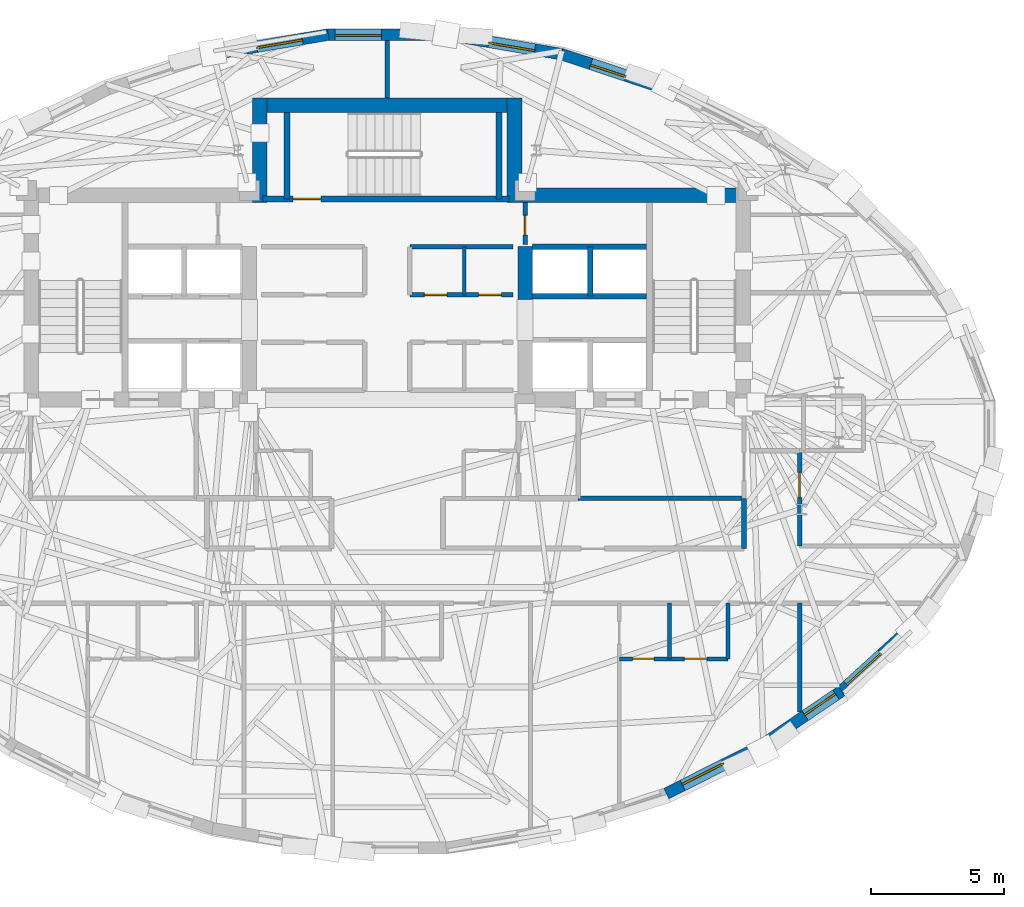
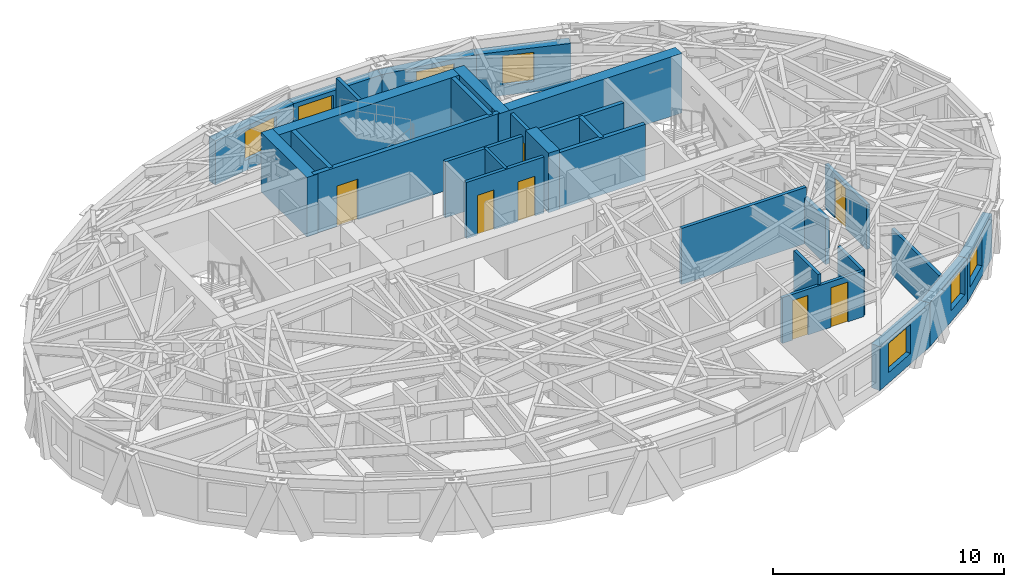
# One storey, part 9 of 14: 30 walls, 7 doors, 7 windows, 14 openings.
"""IFC4 building model written with IfcOpenShell, lengths in metres."""

from ifc_helpers import new_model, si_unit, direction, frame, frame_2d, origin, place, context, subcontext, project, spatial, rectangle, extrude, material, layer, layer_set, type_object, element, fill, save


model = new_model("IFC4")

# Units and contexts
model_context = context("Model", 3, precision=1e-05, world=origin(), true_north=direction((0.0, 1.0)))
body_context = subcontext(model_context, "Body", "Model", "MODEL_VIEW")
ifc_project = project(units=[si_unit("LENGTHUNIT", "METRE"), si_unit("AREAUNIT", "SQUARE_METRE"), si_unit("VOLUMEUNIT", "CUBIC_METRE"), si_unit("PLANEANGLEUNIT", "RADIAN"), si_unit("MASSUNIT", "GRAM", prefix="KILO")], contexts=[model_context])

# Site, building, storey
site_placement = place(None, origin())
site = spatial("IfcSite", under=ifc_project, at=site_placement, CompositionType="ELEMENT")
building_placement = place(site_placement, origin())
building = spatial("IfcBuilding", under=site, at=building_placement, Name="Keldmark Tower", CompositionType="ELEMENT")
storey_placement = place(building_placement, frame((0.0, 0.0, 222.60009765625)))
storey = spatial("IfcBuildingStorey", under=building, at=storey_placement, Name="L62", CompositionType="ELEMENT", Elevation=222.60009765625)

# Walls
ifc_material_1 = material(Name="Heavy Acoustic Plumbing Chase Gypsum Assembly", Category="gypsum")
ifc_layer_1 = layer(ifc_material_1, 0.18994140625)
ifc_layer_set_1 = layer_set([ifc_layer_1], Name="Heavy Acoustic Plumbing Chase Gypsum Assembly")
wall_type_1 = type_object("IfcWallType", Name="Heavy Wet Wall 190 mm", PredefinedType="PLUMBINGWALL", material=ifc_layer_set_1)
wall_1_placement = place(storey_placement, frame((13.449951171875, -4.050048828125, 0.0), z_axis=(0.0, 0.0, 1.0), x_axis=(0.0, 1.0, 0.0)))
element("IfcWall", 1, at=wall_1_placement, inside=storey, type_object=wall_type_1, Name="L62 Heavy Wet Wall 190 mm SPK-E-E", PredefinedType="PLUMBINGWALL", context=body_context, shape_type="SweptSolid", body=[
    extrude(rectangle(XDim=1.900146484375, YDim=0.18994140625, at=frame_2d((0.9501953125, 0.0))), origin(), (0.0, 0.0, 1.0), 2.4228515625),
])
ifc_material_2 = material(Name="Concrete C50/60", Category="concrete")
ifc_layer_2 = layer(ifc_material_2, 0.550048828125)
ifc_layer_set_2 = layer_set([ifc_layer_2], Name="Concrete C50/60")
wall_type_2 = type_object("IfcWallType", Name="High-Rise Core Shear Wall 550 mm", PredefinedType="SHEAR", material=ifc_layer_set_2)
wall_2_placement = place(storey_placement, frame((4.52490234375, 9.27490234375, 0.0), z_axis=(0.0, 0.0, 1.0), x_axis=(1.0, 0.0, 0.0)))
element("IfcWall", 2, at=wall_2_placement, inside=storey, type_object=wall_type_2, Name="L62 East Core North Shear Wall", PredefinedType="SHEAR", context=body_context, shape_type="SweptSolid", body=[
    extrude(rectangle(XDim=9.175048828125, YDim=0.550048828125, at=frame_2d((4.58740234375, 0.0))), origin(), (0.0, 0.0, 1.0), 3.14990234375),
])
wall_3_placement = place(storey_placement, frame((5.199951171875, 5.35009765625, 0.0), z_axis=(0.0, 0.0, 1.0), x_axis=(0.0, 1.0, 0.0)))
element("IfcWall", 3, at=wall_3_placement, inside=storey, type_object=wall_type_2, Name="L62 East Core Inner Shear Pier North", PredefinedType="SHEAR", context=body_context, shape_type="SweptSolid", body=[
    extrude(rectangle(XDim=2.0, YDim=0.550048828125, at=frame_2d((1.0, 0.0))), origin(), (0.0, 0.0, 1.0), 3.14990234375),
])
wall_4_placement = place(storey_placement, frame((-5.074951171875, 12.675048828125, 0.0), z_axis=(0.0, 0.0, 1.0), x_axis=(1.0, 0.0, 0.0)))
element("IfcWall", 4, at=wall_4_placement, inside=storey, type_object=wall_type_2, Name="L62 North Core Shear Wall", PredefinedType="SHEAR", context=body_context, shape_type="SweptSolid", body=[
    extrude(rectangle(XDim=10.14990234375, YDim=0.550048828125, at=frame_2d((5.074951171875, 0.0))), origin(), (0.0, 0.0, 1.0), 3.14990234375),
])
for number, where, z_axis, x_axis, name in (
    (5, (-4.800048828125, 9.0, 0.0), (0.0, 0.0, 1.0), (0.0, 1.0, 0.0), "L62 North Core West Shear Wall"),
    (6, (4.800048828125, 9.0, 0.0), (0.0, 0.0, 1.0), (0.0, 1.0, 0.0), "L62 North Core East Shear Wall"),
):
    element("IfcWall", number, at=place(storey_placement, frame(where, z_axis=z_axis, x_axis=x_axis)), inside=storey, type_object=wall_type_2, Name=name, PredefinedType="SHEAR", context=body_context, shape_type="SweptSolid", body=[
        extrude(rectangle(XDim=3.949951171875, YDim=0.550048828125, at=frame_2d((1.97509765625, 0.0))), origin(), (0.0, 0.0, 1.0), 3.14990234375),
    ])
ifc_material_3 = material(Name="Acoustic Gypsum Board Interior Partition", Category="gypsum")
ifc_layer_3 = layer(ifc_material_3, 0.1298828125)
ifc_layer_set_3 = layer_set([ifc_layer_3], Name="Acoustic Gypsum Board Interior Partition")
wall_type_3 = type_object("IfcWallType", Name="Interior Partition 130 mm", PredefinedType="PARTITIONING", material=ifc_layer_set_3)
wall_5_placement = place(storey_placement, frame((2.89990234375, 5.52001953125, 0.0), z_axis=(0.0, 0.0, 1.0), x_axis=(0.0, 1.0, 0.0)))
element("IfcWall", 7, at=wall_5_placement, inside=storey, type_object=wall_type_3, Name="L62 Interior Partition 130 mm REC-ME-M", PredefinedType="PARTITIONING", context=body_context, shape_type="SweptSolid", body=[
    extrude(rectangle(XDim=1.81005859375, YDim=0.1298828125, at=frame_2d((0.905029296875, 0.0))), origin(), (0.0, 0.0, 1.0), 2.969970703125),
])
ifc_material_4 = material(Name="Type X Fire-Rated Gypsum Partition Assembly", Category="gypsum")
ifc_layer_4 = layer(ifc_material_4, 0.1650390625)
ifc_layer_set_4 = layer_set([ifc_layer_4], Name="Type X Fire-Rated Gypsum Partition Assembly")
wall_type_4 = type_object("IfcWallType", Name="Rated Partition 165 mm", PredefinedType="PARTITIONING", material=ifc_layer_set_4)
wall_6_placement = place(storey_placement, frame((7.199951171875, -2.14990234375, 0.0), z_axis=(0.0, 0.0, 1.0), x_axis=(1.0, 0.0, 0.0)))
element("IfcWall", 8, at=wall_6_placement, inside=storey, type_object=wall_type_4, Name="L62 Rated Partition 165 mm FSAE-E-S", PredefinedType="PARTITIONING", context=body_context, shape_type="SweptSolid", body=[
    extrude(rectangle(XDim=6.25, YDim=0.1650390625, at=frame_2d((3.125, 0.0))), origin(), (0.0, 0.0, 1.0), 2.969970703125),
])

# Wall, openings, doors
wall_7_placement = place(storey_placement, frame((0.85009765625, 5.52001953125, 0.0), z_axis=(0.0, 0.0, 1.0), x_axis=(1.0, 0.0, 0.0)))
wall_7 = element("IfcWall", 9, at=wall_7_placement, inside=storey, type_object=wall_type_4, Name="L62 Rated Partition 165 mm REC-ME-S", PredefinedType="PARTITIONING", context=body_context, shape_type="SweptSolid", body=[
    extrude(rectangle(XDim=3.889892578125, YDim=0.1650390625, at=frame_2d((1.94482421875, 0.0))), origin(), (0.0, 0.0, 1.0), 2.969970703125),
])
opening_1_placement = place(wall_7_placement, frame((0.550048828125, 0.0, 0.0)))
opening_1 = element("IfcOpeningElement", 10, at=opening_1_placement, cuts=wall_7, Name="Opening D-SV085", PredefinedType="OPENING", context=body_context, shape_type="SweptSolid", body=[
    extrude(rectangle(XDim=0.85009765625, YDim=2.10009765625, at=frame_2d((0.425048828125, 1.050048828125))), frame((0.0, 0.092529296875, 0.0), z_axis=(0.0, -1.0, 0.0), x_axis=(1.0, 0.0, 0.0)), (0.0, 0.0, 1.0), 0.18505859375),
])
opening_2_placement = place(wall_7_placement, frame((2.60009765625, 0.0, 0.0)))
opening_2 = element("IfcOpeningElement", 11, at=opening_2_placement, cuts=wall_7, Name="Opening D-SV085", PredefinedType="OPENING", context=body_context, shape_type="SweptSolid", body=[
    extrude(rectangle(XDim=0.85009765625, YDim=2.10009765625, at=frame_2d((0.425048828125, 1.050048828125))), frame((0.0, 0.092529296875, 0.0), z_axis=(0.0, -1.0, 0.0), x_axis=(1.0, 0.0, 0.0)), (0.0, 0.0, 1.0), 0.18505859375),
])
ifc_material_5 = material(Name="Painted Hollow Metal Door Assembly", Category="metal")
door_type_1 = type_object("IfcDoorType", Name="Service Door 850x2100", OperationType="NOTDEFINED", PredefinedType="DOOR", material=ifc_material_5)
door_1_placement = place(opening_1_placement, origin())
door_1 = element("IfcDoor", 12, at=door_1_placement, inside=storey, type_object=door_type_1, Name="L62 Service Door 850x2100 D-RECME1-L62", OperationType="SINGLE_SWING_RIGHT", OverallHeight=2.10009765625, OverallWidth=0.85009765625, PredefinedType="DOOR", context=body_context, shape_type="SweptSolid", body=[
    extrude(rectangle(XDim=0.85009765625, YDim=2.10009765625, at=frame_2d((0.425048828125, 1.050048828125))), frame((0.0, 0.02490234375, 0.0), z_axis=(0.0, -1.0, 0.0), x_axis=(1.0, 0.0, 0.0)), (0.0, 0.0, 1.0), 0.050048828125),
])
fill(opening_1, door_1)
door_2_placement = place(opening_2_placement, origin())
door_2 = element("IfcDoor", 13, at=door_2_placement, inside=storey, type_object=door_type_1, Name="L62 Service Door 850x2100 D-RECME2-L62", OperationType="SINGLE_SWING_RIGHT", OverallHeight=2.10009765625, OverallWidth=0.85009765625, PredefinedType="DOOR", context=body_context, shape_type="SweptSolid", body=[
    extrude(rectangle(XDim=0.85009765625, YDim=2.10009765625, at=frame_2d((0.425048828125, 1.050048828125))), frame((0.0, 0.02490234375, 0.0), z_axis=(0.0, -1.0, 0.0), x_axis=(1.0, 0.0, 0.0)), (0.0, 0.0, 1.0), 0.050048828125),
])
fill(opening_2, door_2)

# Wall
wall_8_placement = place(storey_placement, frame((0.85009765625, 7.330078125, 0.0), z_axis=(0.0, 0.0, 1.0), x_axis=(1.0, 0.0, 0.0)))
element("IfcWall", 14, at=wall_8_placement, inside=storey, type_object=wall_type_4, Name="L62 Rated Partition 165 mm REC-ME-N", PredefinedType="PARTITIONING", context=body_context, shape_type="SweptSolid", body=[
    extrude(rectangle(XDim=3.889892578125, YDim=0.1650390625, at=frame_2d((1.94482421875, 0.0))), origin(), (0.0, 0.0, 1.0), 2.969970703125),
])

# Wall, opening, door
wall_9_placement = place(storey_placement, frame((5.199951171875, 7.419921875, 0.0), z_axis=(0.0, 0.0, 1.0), x_axis=(0.0, 1.0, 0.0)))
wall_9 = element("IfcWall", 15, at=wall_9_placement, inside=storey, type_object=wall_type_4, Name="L62 Rated Partition 165 mm CS-NE-W", PredefinedType="PARTITIONING", context=body_context, shape_type="SweptSolid", body=[
    extrude(rectangle(XDim=1.580078125, YDim=0.1650390625, at=frame_2d((0.7900390625, 0.0))), origin(), (0.0, 0.0, 1.0), 2.969970703125),
])
opening_3_placement = place(wall_9_placement, frame((0.35009765625, 0.0, 0.0)))
opening_3 = element("IfcOpeningElement", 16, at=opening_3_placement, cuts=wall_9, Name="Opening D-RS075", PredefinedType="OPENING", context=body_context, shape_type="SweptSolid", body=[
    extrude(rectangle(XDim=0.75, YDim=2.10009765625, at=frame_2d((0.375, 1.050048828125))), frame((0.0, 0.092529296875, 0.0), z_axis=(0.0, -1.0, 0.0), x_axis=(1.0, 0.0, 0.0)), (0.0, 0.0, 1.0), 0.18505859375),
])
ifc_material_6 = material(Name="Galvanized Fire-Rated Access Leaf", Category="metal")
door_type_2 = type_object("IfcDoorType", Name="Riser Access Door 750x2100", OperationType="NOTDEFINED", PredefinedType="DOOR", material=ifc_material_6)
door_3_placement = place(opening_3_placement, origin())
door_3 = element("IfcDoor", 17, at=door_3_placement, inside=storey, type_object=door_type_2, Name="L62 Riser Access Door 750x2100 D-CSNE1-L62", OperationType="SINGLE_SWING_LEFT", OverallHeight=2.10009765625, OverallWidth=0.75, PredefinedType="DOOR", context=body_context, shape_type="SweptSolid", body=[
    extrude(rectangle(XDim=0.75, YDim=2.10009765625, at=frame_2d((0.375, 1.050048828125))), frame((0.0, 0.02490234375, 0.0), z_axis=(0.0, -1.0, 0.0), x_axis=(1.0, 0.0, 0.0)), (0.0, 0.0, 1.0), 0.050048828125),
])
fill(opening_3, door_3)

wall_10_placement = place(storey_placement, frame((15.550048828125, -3.949951171875, 0.0), z_axis=(0.0, 0.0, 1.0), x_axis=(0.0, 1.0, 0.0)))
wall_10 = element("IfcWall", 18, at=wall_10_placement, inside=storey, type_object=wall_type_4, Name="L62 Rated Partition 165 mm RCOR-VE", PredefinedType="PARTITIONING", context=body_context, shape_type="SweptSolid", body=[
    extrude(rectangle(XDim=3.599853515625, YDim=0.1650390625, at=frame_2d((1.7998046875, 0.0))), origin(), (0.0, 0.0, 1.0), 2.35693359375),
])
opening_4_placement = place(wall_10_placement, frame((1.830078125, 0.0, 0.0)))
opening_4 = element("IfcOpeningElement", 19, at=opening_4_placement, cuts=wall_10, Name="Opening D-AP095", PredefinedType="OPENING", context=body_context, shape_type="SweptSolid", body=[
    extrude(rectangle(XDim=0.949951171875, YDim=2.14990234375, at=frame_2d((0.47509765625, 1.074951171875))), frame((0.0, 0.092529296875, 0.0), z_axis=(0.0, -1.0, 0.0), x_axis=(1.0, 0.0, 0.0)), (0.0, 0.0, 1.0), 0.18505859375),
])
ifc_material_7 = material(Name="Solid-Core Walnut Fire-Rated Entry Assembly", Category="wood")
door_type_3 = type_object("IfcDoorType", Name="Apartment Entry Door 950x2150", OperationType="NOTDEFINED", PredefinedType="DOOR", material=ifc_material_7)
door_4_placement = place(opening_4_placement, origin())
door_4 = element("IfcDoor", 20, at=door_4_placement, inside=storey, type_object=door_type_3, Name="L62 Apartment Entry Door 950x2150 D-UE-ENT-L62", OperationType="SINGLE_SWING_RIGHT", OverallHeight=2.14990234375, OverallWidth=0.949951171875, PredefinedType="DOOR", context=body_context, shape_type="SweptSolid", body=[
    extrude(rectangle(XDim=0.949951171875, YDim=2.14990234375, at=frame_2d((0.47509765625, 1.074951171875))), frame((0.0, 0.02490234375, 0.0), z_axis=(0.0, -1.0, 0.0), x_axis=(1.0, 0.0, 0.0)), (0.0, 0.0, 1.0), 0.050048828125),
])
fill(opening_4, door_4)

# Walls
wall_11_placement = place(storey_placement, frame((0.0, 12.949951171875, 0.0), z_axis=(0.0, 0.0, 1.0), x_axis=(0.0, 1.0, 0.0)))
element("IfcWall", 21, at=wall_11_placement, inside=storey, type_object=wall_type_4, Name="L62 Rated Partition 165 mm RN-DIV", PredefinedType="PARTITIONING", context=body_context, shape_type="SweptSolid", body=[
    extrude(rectangle(XDim=2.15576171875, YDim=0.1650390625, at=frame_2d((1.077880859375, 0.0))), origin(), (0.0, 0.0, 1.0), 2.969970703125),
])
wall_12_placement = place(storey_placement, frame((15.550048828125, -10.2119140625, 0.0), z_axis=(0.0, 0.0, 1.0), x_axis=(0.0, 1.0, 0.0)))
element("IfcWall", 22, at=wall_12_placement, inside=storey, type_object=wall_type_4, Name="L62 Rated Partition 165 mm RS-ECAP", PredefinedType="PARTITIONING", context=body_context, shape_type="SweptSolid", body=[
    extrude(rectangle(XDim=4.11181640625, YDim=0.1650390625, at=frame_2d((2.055908203125, 0.0))), origin(), (0.0, 0.0, 1.0), 2.4228515625),
])
ifc_material_8 = material(Name="Fire-Resistant Type X Gypsum Shaftliner Coreboard", Category="gypsum")
ifc_layer_5 = layer(ifc_material_8, 0.199951171875)
ifc_layer_set_5 = layer_set([ifc_layer_5], Name="Fire-Resistant Type X Gypsum Shaftliner Coreboard")
wall_type_5 = type_object("IfcWallType", Name="Shaft Wall 200 mm", PredefinedType="SOLIDWALL", material=ifc_layer_set_5)
for number, where, z_axis, x_axis, name in (
    (23, (5.47509765625, 5.469970703125, 0.0), (0.0, 0.0, 1.0), (1.0, 0.0, 0.0), "L62 Shaft Wall 200 mm HW-E-N"),
    (24, (5.47509765625, 7.330078125, 0.0), (0.0, 0.0, 1.0), (1.0, 0.0, 0.0), "L62 Shaft Wall 200 mm HW-E-TOP"),
):
    element("IfcWall", number, at=place(storey_placement, frame(where, z_axis=z_axis, x_axis=x_axis)), inside=storey, type_object=wall_type_5, Name=name, PredefinedType="SOLIDWALL", context=body_context, shape_type="SweptSolid", body=[
        extrude(rectangle(XDim=4.304931640625, YDim=0.199951171875, at=frame_2d((2.15234375, 0.0))), origin(), (0.0, 0.0, 1.0), 2.969970703125),
    ])
wall_13_placement = place(storey_placement, frame((7.64990234375, 5.469970703125, 0.0), z_axis=(0.0, 0.0, 1.0), x_axis=(0.0, 1.0, 0.0)))
element("IfcWall", 25, at=wall_13_placement, inside=storey, type_object=wall_type_5, Name="L62 Shaft Wall 200 mm HW-E-NM", PredefinedType="SOLIDWALL", context=body_context, shape_type="SweptSolid", body=[
    extrude(rectangle(XDim=1.860107421875, YDim=0.199951171875, at=frame_2d((0.93017578125, 0.0))), origin(), (0.0, 0.0, 1.0), 2.969970703125),
])

# Wall, opening, door
ifc_material_9 = material(Name="Concrete C50/60", Category="concrete")
ifc_layer_6 = layer(ifc_material_9, 0.219970703125)
ifc_layer_set_6 = layer_set([ifc_layer_6], Name="Concrete C50/60")
wall_type_6 = type_object("IfcWallType", Name="Stair Core Shear Wall 220 mm", PredefinedType="SHEAR", material=ifc_layer_set_6)
wall_14_placement = place(storey_placement, frame((-4.699951171875, 9.139892578125, 0.0), z_axis=(0.0, 0.0, 1.0), x_axis=(1.0, 0.0, 0.0)))
wall_14 = element("IfcWall", 26, at=wall_14_placement, inside=storey, type_object=wall_type_6, Name="L62 Central Stair Core South Shear Wall", PredefinedType="SHEAR", context=body_context, shape_type="SweptSolid", body=[
    extrude(rectangle(XDim=9.300048828125, YDim=0.219970703125, at=frame_2d((4.64990234375, 0.0))), origin(), (0.0, 0.0, 1.0), 3.14990234375),
])
opening_5_placement = place(wall_14_placement, frame((1.14990234375, 0.0, 0.0)))
opening_5 = element("IfcOpeningElement", 27, at=opening_5_placement, cuts=wall_14, Name="Opening D-ST105", PredefinedType="OPENING", context=body_context, shape_type="SweptSolid", body=[
    extrude(rectangle(XDim=1.050048828125, YDim=2.14990234375, at=frame_2d((0.52490234375, 1.074951171875))), frame((0.0, 0.119873046875, 0.0), z_axis=(0.0, -1.0, 0.0), x_axis=(1.0, 0.0, 0.0)), (0.0, 0.0, 1.0), 0.239990234375),
])
ifc_material_10 = material(Name="Hollow Metal Fire-Rated Door Assembly", Category="metal")
door_type_4 = type_object("IfcDoorType", Name="Stair Fire Door 1050x2150", OperationType="NOTDEFINED", PredefinedType="DOOR", material=ifc_material_10)
door_5_placement = place(opening_5_placement, origin())
door_5 = element("IfcDoor", 28, at=door_5_placement, inside=storey, type_object=door_type_4, Name="L62 Stair Fire Door 1050x2150 D-ST3-L62", OperationType="SINGLE_SWING_LEFT", OverallHeight=2.14990234375, OverallWidth=1.050048828125, PredefinedType="DOOR", context=body_context, shape_type="SweptSolid", body=[
    extrude(rectangle(XDim=1.050048828125, YDim=2.14990234375, at=frame_2d((0.52490234375, 1.074951171875))), frame((0.0, 0.02490234375, 0.0), z_axis=(0.0, -1.0, 0.0), x_axis=(1.0, 0.0, 0.0)), (0.0, 0.0, 1.0), 0.050048828125),
])
fill(opening_5, door_5)

# Walls
for number, where, z_axis, x_axis, name in (
    (29, (-3.784912109375, 9.139892578125, 0.0), (0.0, 0.0, 1.0), (0.0, 1.0, 0.0), "L62 Central Stair Core West Shear Wall"),
    (30, (4.215087890625, 9.139892578125, 0.0), (0.0, 0.0, 1.0), (0.0, 1.0, 0.0), "L62 Central Stair Core East Shear Wall"),
):
    element("IfcWall", number, at=place(storey_placement, frame(where, z_axis=z_axis, x_axis=x_axis)), inside=storey, type_object=wall_type_6, Name=name, PredefinedType="SHEAR", context=body_context, shape_type="SweptSolid", body=[
        extrude(rectangle(XDim=3.260009765625, YDim=0.219970703125, at=frame_2d((1.6298828125, 0.0))), origin(), (0.0, 0.0, 1.0), 3.14990234375),
    ])

# Wall, opening, window
ifc_material_11 = material(Name="Ironspot Manganese Brick and Kasota Buff Limestone Spandrel Assembly", Category="masonry")
ifc_layer_7 = layer(ifc_material_11, 0.43994140625)
ifc_layer_set_7 = layer_set([ifc_layer_7], Name="Ironspot Manganese Brick and Kasota Buff Limestone Spandrel Assembly")
wall_type_7 = type_object("IfcWallType", Name="Tower Brick Pier and Spandrel Wall 440 mm", PredefinedType="STANDARD", material=ifc_layer_set_7)
wall_15_placement = place(storey_placement, frame((6.555419921875, 14.6025390625, 0.0), z_axis=(0.0, 0.0, 1.0), x_axis=(0.948810648135, -0.315845459024, 0.0)))
wall_15 = element("IfcWall", 31, at=wall_15_placement, inside=storey, type_object=wall_type_7, Name="L62 Exterior Brick and Spandrel Wall 06", PredefinedType="STANDARD", context=body_context, shape_type="SweptSolid", body=[
    extrude(rectangle(XDim=4.215087890625, YDim=0.43994140625, at=frame_2d((2.107421875, 0.0))), origin(), (0.0, 0.0, 1.0), 2.3359375),
])
opening_6_placement = place(wall_15_placement, frame((1.185791015625, 0.0, 0.550048828125)))
opening_6 = element("IfcOpeningElement", 32, at=opening_6_placement, cuts=wall_15, Name="Opening W-08", PredefinedType="OPENING", context=body_context, shape_type="SweptSolid", body=[
    extrude(rectangle(XDim=1.39990234375, YDim=1.550048828125, at=frame_2d((0.699951171875, 0.77490234375))), frame((0.0, 0.22998046875, 0.0), z_axis=(0.0, -1.0, 0.0), x_axis=(1.0, 0.0, 0.0)), (0.0, 0.0, 1.0), 0.4599609375),
])
ifc_material_12 = material(Name="Thermally Broken Anodized Aluminum and Triple Low-E Argon Glazing", Category="aluminium")
window_type_1 = type_object("IfcWindowType", Name="Residential Corner Punched Window 1400x1550", PartitioningType="SINGLE_PANEL", PredefinedType="WINDOW", material=ifc_material_12)
window_1_placement = place(opening_6_placement, origin())
window_1 = element("IfcWindow", 33, at=window_1_placement, inside=storey, type_object=window_type_1, Name="L62 Deep-Set Window 06", OverallHeight=1.550048828125, OverallWidth=1.39990234375, PartitioningType="SINGLE_PANEL", PredefinedType="WINDOW", context=body_context, shape_type="SweptSolid", body=[
    extrude(rectangle(XDim=1.39990234375, YDim=1.550048828125, at=frame_2d((0.699951171875, 0.77490234375))), frame((0.0, -0.010009765625, 0.0), z_axis=(0.0, -1.0, 0.0), x_axis=(1.0, 0.0, 0.0)), (0.0, 0.0, 1.0), 0.06005859375),
])
fill(opening_6, window_1)

wall_16_placement = place(storey_placement, frame((2.221923828125, 15.3369140625, 0.0), z_axis=(0.0, 0.0, 1.0), x_axis=(0.985849288176, -0.16763406874, 0.0)))
wall_16 = element("IfcWall", 34, at=wall_16_placement, inside=storey, type_object=wall_type_7, Name="L62 Exterior Brick and Spandrel Wall 07", PredefinedType="STANDARD", context=body_context, shape_type="SweptSolid", body=[
    extrude(rectangle(XDim=4.428955078125, YDim=0.43994140625, at=frame_2d((2.21435546875, 0.0))), origin(), (0.0, 0.0, 1.0), 2.3359375),
])
opening_7_placement = place(wall_16_placement, frame((1.63671875, 0.0, 0.550048828125)))
opening_7 = element("IfcOpeningElement", 35, at=opening_7_placement, cuts=wall_16, Name="Opening W-05", PredefinedType="OPENING", context=body_context, shape_type="SweptSolid", body=[
    extrude(rectangle(XDim=1.75, YDim=1.550048828125, at=frame_2d((0.875, 0.77490234375))), frame((0.0, 0.22998046875, 0.0), z_axis=(0.0, -1.0, 0.0), x_axis=(1.0, 0.0, 0.0)), (0.0, 0.0, 1.0), 0.4599609375),
])
ifc_material_13 = material(Name="Thermally Broken Anodized Aluminum and Triple Low-E Argon Glazing", Category="aluminium")
window_type_2 = type_object("IfcWindowType", Name="Residential Deep-Set Window 1750x1550", PartitioningType="DOUBLE_PANEL_VERTICAL", PredefinedType="WINDOW", material=ifc_material_13)
window_2_placement = place(opening_7_placement, origin())
window_2 = element("IfcWindow", 36, at=window_2_placement, inside=storey, type_object=window_type_2, Name="L62 Deep-Set Window 07", OverallHeight=1.550048828125, OverallWidth=1.75, PartitioningType="SINGLE_PANEL", PredefinedType="WINDOW", context=body_context, shape_type="SweptSolid", body=[
    extrude(rectangle(XDim=1.75, YDim=1.550048828125, at=frame_2d((0.875, 0.77490234375))), frame((0.0, -0.010009765625, 0.0), z_axis=(0.0, -1.0, 0.0), x_axis=(1.0, 0.0, 0.0)), (0.0, 0.0, 1.0), 0.06005859375),
])
fill(opening_7, window_2)

wall_17_placement = place(storey_placement, frame((-2.2587890625, 15.333740234375, 0.0), z_axis=(0.0, 0.0, 1.0), x_axis=(1.0, 0.0, 0.0)))
wall_17 = element("IfcWall", 37, at=wall_17_placement, inside=storey, type_object=wall_type_7, Name="L62 Exterior Brick and Spandrel Wall 08", PredefinedType="STANDARD", context=body_context, shape_type="SweptSolid", body=[
    extrude(rectangle(XDim=4.517578125, YDim=0.43994140625, at=frame_2d((2.2587890625, 0.0))), origin(), (0.0, 0.0, 1.0), 2.3359375),
])
opening_8_placement = place(wall_17_placement, frame((0.298583984375, 0.0, 0.550048828125)))
opening_8 = element("IfcOpeningElement", 38, at=opening_8_placement, cuts=wall_17, Name="Opening W-05", PredefinedType="OPENING", context=body_context, shape_type="SweptSolid", body=[
    extrude(rectangle(XDim=1.75, YDim=1.550048828125, at=frame_2d((0.875, 0.77490234375))), frame((0.0, 0.22998046875, 0.0), z_axis=(0.0, -1.0, 0.0), x_axis=(1.0, 0.0, 0.0)), (0.0, 0.0, 1.0), 0.4599609375),
])
window_3_placement = place(opening_8_placement, origin())
window_3 = element("IfcWindow", 39, at=window_3_placement, inside=storey, type_object=window_type_2, Name="L62 Deep-Set Window 08", OverallHeight=1.550048828125, OverallWidth=1.75, PartitioningType="SINGLE_PANEL", PredefinedType="WINDOW", context=body_context, shape_type="SweptSolid", body=[
    extrude(rectangle(XDim=1.75, YDim=1.550048828125, at=frame_2d((0.875, 0.77490234375))), frame((0.0, -0.010009765625, 0.0), z_axis=(0.0, -1.0, 0.0), x_axis=(1.0, 0.0, 0.0)), (0.0, 0.0, 1.0), 0.06005859375),
])
fill(opening_8, window_3)

wall_18_placement = place(storey_placement, frame((-6.588134765625, 14.594482421875, 0.0), z_axis=(0.0, 0.0, 1.0), x_axis=(0.985849288176, 0.16763406874, 0.0)))
wall_18 = element("IfcWall", 40, at=wall_18_placement, inside=storey, type_object=wall_type_7, Name="L62 Exterior Brick and Spandrel Wall 09", PredefinedType="STANDARD", context=body_context, shape_type="SweptSolid", body=[
    extrude(rectangle(XDim=4.428955078125, YDim=0.43994140625, at=frame_2d((2.21435546875, 0.0))), origin(), (0.0, 0.0, 1.0), 2.3359375),
])
opening_9_placement = place(wall_18_placement, frame((1.686279296875, 0.0, 0.550048828125)))
opening_9 = element("IfcOpeningElement", 41, at=opening_9_placement, cuts=wall_18, Name="Opening W-05", PredefinedType="OPENING", context=body_context, shape_type="SweptSolid", body=[
    extrude(rectangle(XDim=1.75, YDim=1.550048828125, at=frame_2d((0.875, 0.77490234375))), frame((0.0, 0.22998046875, 0.0), z_axis=(0.0, -1.0, 0.0), x_axis=(1.0, 0.0, 0.0)), (0.0, 0.0, 1.0), 0.4599609375),
])
window_4_placement = place(opening_9_placement, origin())
window_4 = element("IfcWindow", 42, at=window_4_placement, inside=storey, type_object=window_type_2, Name="L62 Deep-Set Window 09", OverallHeight=1.550048828125, OverallWidth=1.75, PartitioningType="SINGLE_PANEL", PredefinedType="WINDOW", context=body_context, shape_type="SweptSolid", body=[
    extrude(rectangle(XDim=1.75, YDim=1.550048828125, at=frame_2d((0.875, 0.77490234375))), frame((0.0, -0.010009765625, 0.0), z_axis=(0.0, -1.0, 0.0), x_axis=(1.0, 0.0, 0.0)), (0.0, 0.0, 1.0), 0.06005859375),
])
fill(opening_9, window_4)

wall_19_placement = place(storey_placement, frame((14.057373046875, -11.502197265625, 0.0), z_axis=(0.0, 0.0, 1.0), x_axis=(-0.892866610217, -0.450321236851, 0.0)))
wall_19 = element("IfcWall", 43, at=wall_19_placement, inside=storey, type_object=wall_type_7, Name="L62 Exterior Brick and Spandrel Wall 27", PredefinedType="STANDARD", context=body_context, shape_type="SweptSolid", body=[
    extrude(rectangle(XDim=3.9560546875, YDim=0.43994140625, at=frame_2d((1.97802734375, 0.0))), origin(), (0.0, 0.0, 1.0), 2.3359375),
])
opening_10_placement = place(wall_19_placement, frame((1.517822265625, 0.0, 0.550048828125)))
opening_10 = element("IfcOpeningElement", 44, at=opening_10_placement, cuts=wall_19, Name="Opening W-05", PredefinedType="OPENING", context=body_context, shape_type="SweptSolid", body=[
    extrude(rectangle(XDim=1.75, YDim=1.550048828125, at=frame_2d((0.875, 0.77490234375))), frame((0.0, 0.22998046875, 0.0), z_axis=(0.0, -1.0, 0.0), x_axis=(1.0, 0.0, 0.0)), (0.0, 0.0, 1.0), 0.4599609375),
])
window_5_placement = place(opening_10_placement, origin())
window_5 = element("IfcWindow", 45, at=window_5_placement, inside=storey, type_object=window_type_2, Name="L62 Deep-Set Window 27", OverallHeight=1.550048828125, OverallWidth=1.75, PartitioningType="SINGLE_PANEL", PredefinedType="WINDOW", context=body_context, shape_type="SweptSolid", body=[
    extrude(rectangle(XDim=1.75, YDim=1.550048828125, at=frame_2d((0.875, 0.77490234375))), frame((0.0, -0.010009765625, 0.0), z_axis=(0.0, -1.0, 0.0), x_axis=(1.0, 0.0, 0.0)), (0.0, 0.0, 1.0), 0.06005859375),
])
fill(opening_10, window_5)

wall_20_placement = place(storey_placement, frame((17.126220703125, -9.418701171875, 0.0), z_axis=(0.0, 0.0, 1.0), x_axis=(-0.827642668093, -0.561255391023, 0.0)))
wall_20 = element("IfcWall", 46, at=wall_20_placement, inside=storey, type_object=wall_type_7, Name="L62 Exterior Brick and Spandrel Wall 28", PredefinedType="STANDARD", context=body_context, shape_type="SweptSolid", body=[
    extrude(rectangle(XDim=3.737548828125, YDim=0.43994140625, at=frame_2d((1.86865234375, 0.0))), origin(), (0.0, 0.0, 1.0), 2.3359375),
])
opening_11_placement = place(wall_20_placement, frame((0.249755859375, 0.0, 0.580078125)))
opening_11 = element("IfcOpeningElement", 47, at=opening_11_placement, cuts=wall_20, Name="Opening W-08", PredefinedType="OPENING", context=body_context, shape_type="SweptSolid", body=[
    extrude(rectangle(XDim=1.39990234375, YDim=1.550048828125, at=frame_2d((0.699951171875, 0.77490234375))), frame((0.0, 0.22998046875, 0.0), z_axis=(0.0, -1.0, 0.0), x_axis=(1.0, 0.0, 0.0)), (0.0, 0.0, 1.0), 0.4599609375),
])
window_6_placement = place(opening_11_placement, origin())
window_6 = element("IfcWindow", 48, at=window_6_placement, inside=storey, type_object=window_type_1, Name="L62 Deep-Set Window 28", OverallHeight=1.550048828125, OverallWidth=1.39990234375, PartitioningType="SINGLE_PANEL", PredefinedType="WINDOW", context=body_context, shape_type="SweptSolid", body=[
    extrude(rectangle(XDim=1.39990234375, YDim=1.550048828125, at=frame_2d((0.699951171875, 0.77490234375))), frame((0.0, -0.010009765625, 0.0), z_axis=(0.0, -1.0, 0.0), x_axis=(1.0, 0.0, 0.0)), (0.0, 0.0, 1.0), 0.06005859375),
])
fill(opening_11, window_6)

wall_21_placement = place(storey_placement, frame((19.728271484375, -7.04248046875, 0.0), z_axis=(0.0, 0.0, 1.0), x_axis=(-0.738907573949, -0.673806795129, 0.0)))
wall_21 = element("IfcWall", 49, at=wall_21_placement, inside=storey, type_object=wall_type_7, Name="L62 Exterior Brick and Spandrel Wall 29", PredefinedType="STANDARD", context=body_context, shape_type="SweptSolid", body=[
    extrude(rectangle(XDim=3.55517578125, YDim=0.43994140625, at=frame_2d((1.777587890625, 0.0))), origin(), (0.0, 0.0, 1.0), 2.3359375),
])
opening_12_placement = place(wall_21_placement, frame((1.459716796875, 0.0, 0.550048828125)))
opening_12 = element("IfcOpeningElement", 50, at=opening_12_placement, cuts=wall_21, Name="Opening W-05", PredefinedType="OPENING", context=body_context, shape_type="SweptSolid", body=[
    extrude(rectangle(XDim=1.75, YDim=1.550048828125, at=frame_2d((0.875, 0.77490234375))), frame((0.0, 0.22998046875, 0.0), z_axis=(0.0, -1.0, 0.0), x_axis=(1.0, 0.0, 0.0)), (0.0, 0.0, 1.0), 0.4599609375),
])
window_7_placement = place(opening_12_placement, origin())
window_7 = element("IfcWindow", 51, at=window_7_placement, inside=storey, type_object=window_type_2, Name="L62 Deep-Set Window 29", OverallHeight=1.550048828125, OverallWidth=1.75, PartitioningType="SINGLE_PANEL", PredefinedType="WINDOW", context=body_context, shape_type="SweptSolid", body=[
    extrude(rectangle(XDim=1.75, YDim=1.550048828125, at=frame_2d((0.875, 0.77490234375))), frame((0.0, -0.010009765625, 0.0), z_axis=(0.0, -1.0, 0.0), x_axis=(1.0, 0.0, 0.0)), (0.0, 0.0, 1.0), 0.06005859375),
])
fill(opening_12, window_7)

# Wall, openings, doors
ifc_material_14 = material(Name="Moisture-Resistant Gypsum Plumbing Partition", Category="gypsum")
ifc_layer_8 = layer(ifc_material_14, 0.14990234375)
ifc_layer_set_8 = layer_set([ifc_layer_8], Name="Moisture-Resistant Gypsum Plumbing Partition")
wall_type_8 = type_object("IfcWallType", Name="Wet Wall 150 mm", PredefinedType="PLUMBINGWALL", material=ifc_layer_set_8)
wall_22_placement = place(storey_placement, frame((8.75, -8.199951171875, 0.0), z_axis=(0.0, 0.0, 1.0), x_axis=(1.0, 0.0, 0.0)))
wall_22 = element("IfcWall", 52, at=wall_22_placement, inside=storey, type_object=wall_type_8, Name="L62 Wet Wall 150 mm UC-BK-S", PredefinedType="PLUMBINGWALL", context=body_context, shape_type="SweptSolid", body=[
    extrude(rectangle(XDim=4.10009765625, YDim=0.14990234375, at=frame_2d((2.050048828125, 0.0))), origin(), (0.0, 0.0, 1.0), 2.4228515625),
])
opening_13_placement = place(wall_22_placement, frame((0.5, 0.0, 0.0)))
opening_13 = element("IfcOpeningElement", 53, at=opening_13_placement, cuts=wall_22, Name="Opening D-BT080", PredefinedType="OPENING", context=body_context, shape_type="SweptSolid", body=[
    extrude(rectangle(XDim=0.800048828125, YDim=2.10009765625, at=frame_2d((0.39990234375, 1.050048828125))), frame((0.0, 0.0849609375, 0.0), z_axis=(0.0, -1.0, 0.0), x_axis=(1.0, 0.0, 0.0)), (0.0, 0.0, 1.0), 0.169921875),
])
opening_14_placement = place(wall_22_placement, frame((2.449951171875, 0.0, 0.0)))
opening_14 = element("IfcOpeningElement", 54, at=opening_14_placement, cuts=wall_22, Name="Opening D-IN085", PredefinedType="OPENING", context=body_context, shape_type="SweptSolid", body=[
    extrude(rectangle(XDim=0.85009765625, YDim=2.10009765625, at=frame_2d((0.425048828125, 1.050048828125))), frame((0.0, 0.0849609375, 0.0), z_axis=(0.0, -1.0, 0.0), x_axis=(1.0, 0.0, 0.0)), (0.0, 0.0, 1.0), 0.169921875),
])
ifc_material_15 = material(Name="Moisture-Sealed Stained Wood", Category="wood")
door_type_5 = type_object("IfcDoorType", Name="Bathroom Door 800x2100", OperationType="NOTDEFINED", PredefinedType="DOOR", material=ifc_material_15)
door_6_placement = place(opening_13_placement, origin())
door_6 = element("IfcDoor", 55, at=door_6_placement, inside=storey, type_object=door_type_5, Name="L62 Bathroom Door 800x2100 D-UC-BATH-L62", OperationType="SINGLE_SWING_LEFT", OverallHeight=2.10009765625, OverallWidth=0.800048828125, PredefinedType="DOOR", context=body_context, shape_type="SweptSolid", body=[
    extrude(rectangle(XDim=0.800048828125, YDim=2.10009765625, at=frame_2d((0.39990234375, 1.050048828125))), frame((0.0, 0.02490234375, 0.0), z_axis=(0.0, -1.0, 0.0), x_axis=(1.0, 0.0, 0.0)), (0.0, 0.0, 1.0), 0.050048828125),
])
fill(opening_13, door_6)
ifc_material_16 = material(Name="Painted Architectural Wood", Category="wood")
door_type_6 = type_object("IfcDoorType", Name="Interior Door 850x2100", OperationType="NOTDEFINED", PredefinedType="DOOR", material=ifc_material_16)
door_7_placement = place(opening_14_placement, origin())
door_7 = element("IfcDoor", 56, at=door_7_placement, inside=storey, type_object=door_type_6, Name="L62 Interior Door 850x2100 D-UC-KIT-L62", OperationType="SINGLE_SWING_RIGHT", OverallHeight=2.10009765625, OverallWidth=0.85009765625, PredefinedType="DOOR", context=body_context, shape_type="SweptSolid", body=[
    extrude(rectangle(XDim=0.85009765625, YDim=2.10009765625, at=frame_2d((0.425048828125, 1.050048828125))), frame((0.0, 0.02490234375, 0.0), z_axis=(0.0, -1.0, 0.0), x_axis=(1.0, 0.0, 0.0)), (0.0, 0.0, 1.0), 0.050048828125),
])
fill(opening_14, door_7)

# Walls
wall_23_placement = place(storey_placement, frame((10.64990234375, -8.199951171875, 0.0), z_axis=(0.0, 0.0, 1.0), x_axis=(0.0, 1.0, 0.0)))
element("IfcWall", 57, at=wall_23_placement, inside=storey, type_object=wall_type_8, Name="L62 Wet Wall 150 mm UC-BK-M", PredefinedType="PLUMBINGWALL", context=body_context, shape_type="SweptSolid", body=[
    extrude(rectangle(XDim=2.099853515625, YDim=0.14990234375, at=frame_2d((1.0498046875, 0.0))), origin(), (0.0, 0.0, 1.0), 2.969970703125),
])
wall_24_placement = place(storey_placement, frame((12.85009765625, -8.199951171875, 0.0), z_axis=(0.0, 0.0, 1.0), x_axis=(0.0, 1.0, 0.0)))
element("IfcWall", 58, at=wall_24_placement, inside=storey, type_object=wall_type_8, Name="L62 Wet Wall 150 mm UC-BK-E", PredefinedType="PLUMBINGWALL", context=body_context, shape_type="SweptSolid", body=[
    extrude(rectangle(XDim=2.099853515625, YDim=0.14990234375, at=frame_2d((1.0498046875, 0.0))), origin(), (0.0, 0.0, 1.0), 2.4228515625),
])

save(model, "model.ifc")
